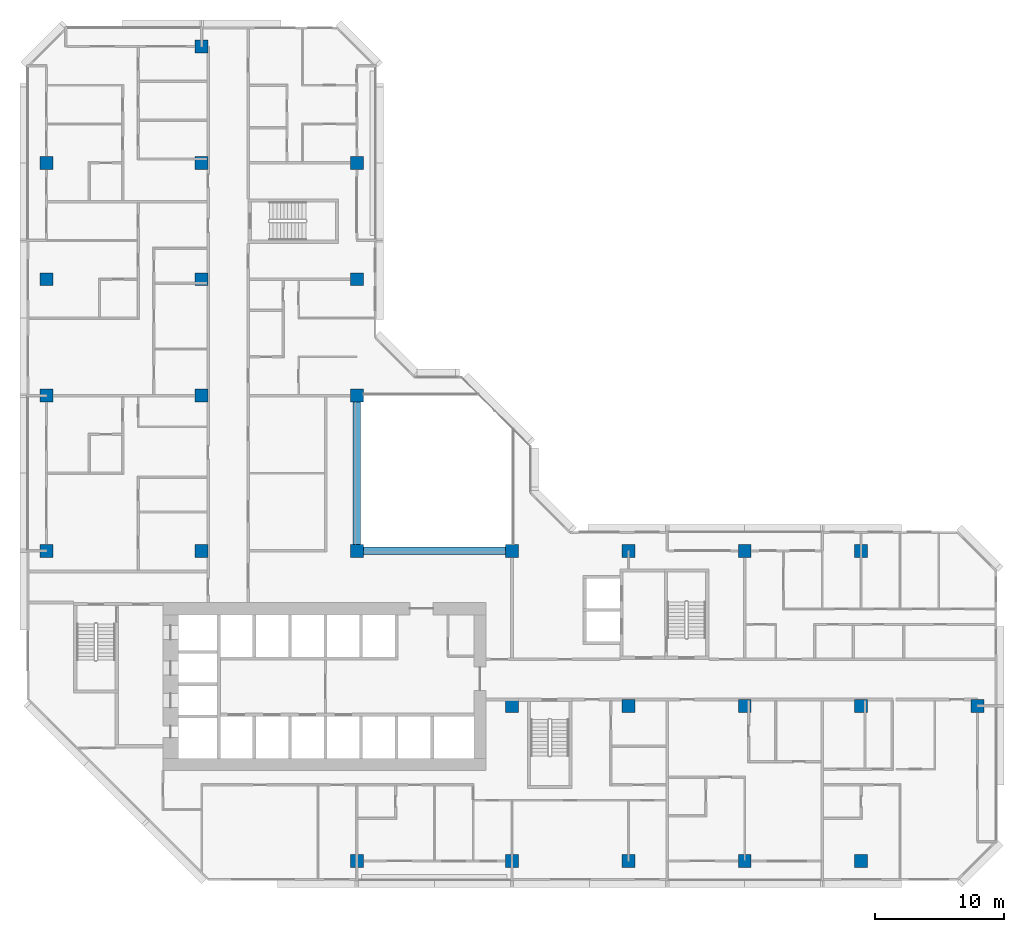
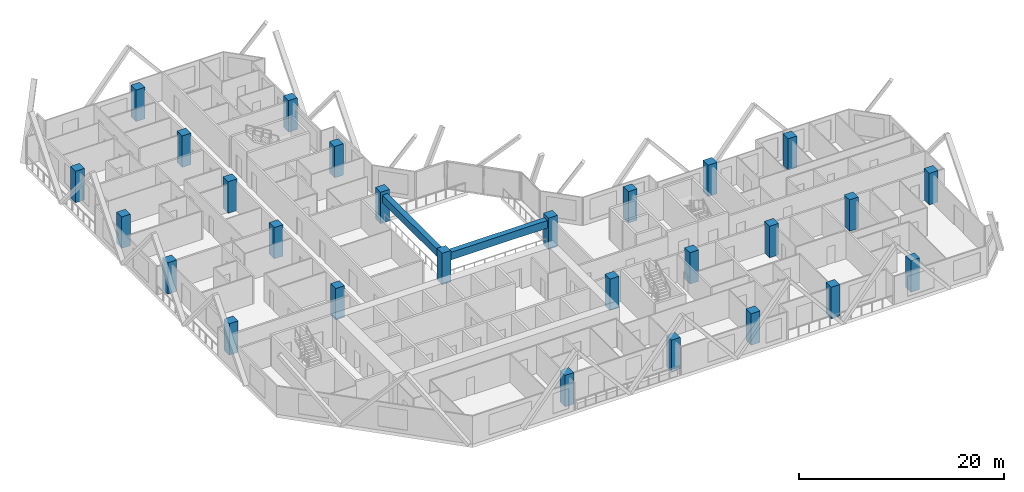
# One storey, part 1 of 14: 27 columns, 2 beams.
"""IFC4 building model written with IfcOpenShell, lengths in metres."""

import ifcopenshell
import ifcopenshell.guid

model = None  # the IFC model being written
_history = None  # IfcOwnerHistory: only IFC2X3 demands one
_inside = {}  # id of a spatial element -> (the spatial element, [elements in it])
_under = {}  # id of a project, library or spatial element -> (it, [spatial elements below it])
_declared = {}  # id of a project -> (the project, [libraries it declares])
_typed = {}  # id of a type object -> (the type object, [elements of that type])
_made_of = {}  # id of a material, layer set ... -> (it, [elements and type objects made of it])


def new_model(schema):
    """Start an empty IFC model of exactly this schema.

    Asked for "IFC4X3", IfcOpenShell would pick the latest addendum, in which some entities
    have other attributes; the version numbers below select the first issue.
    IFC2X3 requires an IfcOwnerHistory on every rooted entity: one is made here for all.
    """
    global model, _history
    if schema == "IFC4X3":
        model = ifcopenshell.file(schema_version=(4, 3, 0, 0))
    else:
        model = ifcopenshell.file(schema=schema)
    _inside.clear()
    _under.clear()
    _declared.clear()
    _typed.clear()
    _made_of.clear()
    _history = None
    if model.schema == "IFC2X3":
        org = make("IfcOrganization", Name="unknown")
        user = make(
            "IfcPersonAndOrganization",
            ThePerson=make("IfcPerson", FamilyName="unknown"),
            TheOrganization=org,
        )
        app = make(
            "IfcApplication",
            ApplicationDeveloper=org,
            Version="unknown",
            ApplicationFullName="unknown",
            ApplicationIdentifier="unknown",
        )
        _history = make(
            "IfcOwnerHistory",
            OwningUser=user,
            OwningApplication=app,
            ChangeAction="ADDED",
            CreationDate=0,
        )
    return model


def make(cls, **values):
    """One entity of the class cls with the attributes given. An attribute that is None is left unset."""
    return model.create_entity(
        cls, **{name: value for name, value in values.items() if value is not None}
    )


def rooted(cls, **values):
    """An entity with a GlobalId (a new one), such as an element, a storey or a relation."""
    return make(cls, GlobalId=ifcopenshell.guid.new(), OwnerHistory=_history, **values)


def si_unit(unit_type, name, prefix=None):
    """IfcSIUnit, for example si_unit("LENGTHUNIT", "METRE", prefix="MILLI")."""
    return make("IfcSIUnit", UnitType=unit_type, Prefix=prefix, Name=name)


def assignment(units):
    """IfcUnitAssignment: the units of a project."""
    return None if units is None else make("IfcUnitAssignment", Units=units)


def point(xyz):
    """IfcCartesianPoint."""
    return None if xyz is None else make("IfcCartesianPoint", Coordinates=xyz)


def direction(xyz):
    """IfcDirection."""
    return None if xyz is None else make("IfcDirection", DirectionRatios=xyz)


def frame(location, z_axis=None, x_axis=None):
    """IfcAxis2Placement3D, a coordinate frame: its origin and axes. An axis left out is left unset."""
    return make(
        "IfcAxis2Placement3D",
        Location=point(location),
        Axis=direction(z_axis),
        RefDirection=direction(x_axis),
    )


def frame_2d(location, x_axis=None):
    """IfcAxis2Placement2D, a coordinate frame in the plane: its origin and x axis."""
    return make(
        "IfcAxis2Placement2D", Location=point(location), RefDirection=direction(x_axis)
    )


def origin():
    """The frame at (0, 0, 0) with its axes left unset."""
    return frame((0.0, 0.0, 0.0))


def origin_2d():
    """The frame at (0, 0) in the plane with its x axis left unset."""
    return frame_2d((0.0, 0.0))


def place(relative_to, where):
    """IfcLocalPlacement: puts the frame where relative to a parent placement (None: the world)."""
    return make(
        "IfcLocalPlacement", PlacementRelTo=relative_to, RelativePlacement=where
    )


def context(
    kind, dimensions, precision=None, world=None, true_north=None, identifier=None
):
    """IfcGeometricRepresentationContext, for example the 3D "Model" context."""
    return make(
        "IfcGeometricRepresentationContext",
        ContextIdentifier=identifier,
        ContextType=kind,
        CoordinateSpaceDimension=dimensions,
        Precision=precision,
        WorldCoordinateSystem=world,
        TrueNorth=true_north,
    )


def subcontext(parent, identifier, kind, view, scale=None):
    """IfcGeometricRepresentationSubContext, for example "Body" below "Model"."""
    return make(
        "IfcGeometricRepresentationSubContext",
        ContextIdentifier=identifier,
        ContextType=kind,
        ParentContext=parent,
        TargetScale=scale,
        TargetView=view,
    )


def project(units=None, contexts=None):
    """IfcProject with its units and contexts."""
    return rooted(
        "IfcProject",
        Name="project",
        RepresentationContexts=contexts,
        UnitsInContext=assignment(units),
    )


def spatial(cls, under=None, at=None, **own):
    """A site, building, storey or space (cls), placed at a placement, below another one or the project."""
    s = rooted(cls, ObjectPlacement=at, **own)
    if under is not None:
        _under.setdefault(under.id(), (under, []))[1].append(s)
    return s


def profile(cls, at=None, kind="AREA", **sizes):
    """A parametric profile (cls). Its sizes go by their IFC names, for example OverallWidth=200.0."""
    return make(cls, ProfileType=kind, Position=at, **sizes)


def rectangle(**sizes):
    """IfcRectangleProfileDef."""
    return profile("IfcRectangleProfileDef", **sizes)


def extrude(swept, where, along, depth):
    """IfcExtrudedAreaSolid: the profile swept, set in the frame where, extruded along a direction by depth."""
    return make(
        "IfcExtrudedAreaSolid",
        SweptArea=swept,
        Position=where,
        ExtrudedDirection=direction(along),
        Depth=depth,
    )


def shape(context_of_items, identifier, shape_type, items):
    """IfcShapeRepresentation: the items that make up one representation, for example the "Body"."""
    return make(
        "IfcShapeRepresentation",
        ContextOfItems=context_of_items,
        RepresentationIdentifier=identifier,
        RepresentationType=shape_type,
        Items=items,
    )


def material(Name=None, Category=None):
    """IfcMaterial."""
    return make("IfcMaterial", Name=Name, Category=Category)


def material_profile(
    of_material, cross_section, Name=None, Category=None, Priority=None
):
    """IfcMaterialProfile: a cross section and its material."""
    return make(
        "IfcMaterialProfile",
        Name=Name,
        Material=of_material,
        Profile=cross_section,
        Priority=Priority,
        Category=Category,
    )


def profile_set(profiles, Name=None, composite=None):
    """IfcMaterialProfileSet."""
    return make(
        "IfcMaterialProfileSet",
        Name=Name,
        MaterialProfiles=profiles,
        CompositeProfile=composite,
    )


def made_of(thing, what):
    """Note that an element or type object is made of a material, layer set ...; save() writes the relation."""
    if what is not None:
        _made_of.setdefault(what.id(), (what, []))[1].append(thing)
    return thing


def type_object(cls, material=None, **own):
    """A type object (cls), such as IfcWallType, which elements share."""
    return made_of(rooted(cls, **own), material)


def element(
    cls,
    number,
    at=None,
    inside=None,
    cuts=None,
    type_object=None,
    material=None,
    context=None,
    identifier="Body",
    shape_type=None,
    held_by="IfcProductDefinitionShape",
    body=None,
    shapes=None,
    **own,
):
    """One element of the class cls, such as IfcWall. Its Tag is "e" and its number.

    at: its placement. inside: the storey or other place that contains it. cuts: it is an
    opening in that element (IfcRelVoidsElement). A single representation is given by context,
    identifier, shape_type and body (its items); several are given by shapes. held_by: the class
    of the entity that holds the representations. save() writes the other relations.
    """
    e = rooted(cls, Tag="e%d" % number, ObjectPlacement=at, **own)
    if body is not None:
        shapes = [shape(context, identifier, shape_type, body)]
    if shapes is not None:
        e.Representation = make(held_by, Representations=shapes)
    if inside is not None:
        _inside.setdefault(inside.id(), (inside, []))[1].append(e)
    if cuts is not None:
        rooted(
            "IfcRelVoidsElement", RelatingBuildingElement=cuts, RelatedOpeningElement=e
        )
    if type_object is not None:
        _typed.setdefault(type_object.id(), (type_object, []))[1].append(e)
    return made_of(e, material)


def aggregate(whole, parts):
    """IfcRelAggregates: a whole, such as a stair, and the parts it consists of."""
    return rooted("IfcRelAggregates", RelatingObject=whole, RelatedObjects=parts)


def save(model, path):
    """Write the relations noted so far, then the file.

    IfcRelAggregates (storeys below a building ...), IfcRelContainedInSpatialStructure (elements
    in a storey), IfcRelDefinesByType, IfcRelAssociatesMaterial and IfcRelDeclares: one each for
    every whole, place, type object, material and project.
    """
    for whole, parts in _under.values():
        aggregate(whole, parts)
    for where, things in _inside.values():
        rooted(
            "IfcRelContainedInSpatialStructure",
            RelatedElements=things,
            RelatingStructure=where,
        )
    for kind, things in _typed.values():
        rooted("IfcRelDefinesByType", RelatedObjects=things, RelatingType=kind)
    for what, things in _made_of.values():
        rooted("IfcRelAssociatesMaterial", RelatedObjects=things, RelatingMaterial=what)
    for by, libraries in _declared.values():
        rooted("IfcRelDeclares", RelatingContext=by, RelatedDefinitions=libraries)
    model.write(path)


model = new_model("IFC4")

# Units and contexts
model_context = context("Model", 3, precision=1e-05, world=origin(), true_north=direction((0.0, 1.0)))
body_context = subcontext(model_context, "Body", "Model", "MODEL_VIEW")
ifc_project = project(units=[si_unit("LENGTHUNIT", "METRE"), si_unit("AREAUNIT", "SQUARE_METRE"), si_unit("VOLUMEUNIT", "CUBIC_METRE"), si_unit("PLANEANGLEUNIT", "RADIAN"), si_unit("MASSUNIT", "GRAM", prefix="KILO")], contexts=[model_context])

# Site, building, storey
site_placement = place(None, origin())
site = spatial("IfcSite", under=ifc_project, at=site_placement, CompositionType="ELEMENT")
building_placement = place(site_placement, origin())
building = spatial("IfcBuilding", under=site, at=building_placement, Name="Chenar Terraces", CompositionType="ELEMENT")
storey_placement = place(building_placement, frame((0.0, 0.0, 91.89990234375)))
storey = spatial("IfcBuildingStorey", under=building, at=storey_placement, Name="L20", CompositionType="ELEMENT", Elevation=91.89990234375)

# Columns
ifc_material_1 = material(Name="Concrete C70/85", Category="concrete")
ifc_material_profile_1 = material_profile(ifc_material_1, rectangle(XDim=1.0, YDim=1.0, at=origin_2d()), Name="C 1000 x 1000")
ifc_profile_set_1 = profile_set([ifc_material_profile_1], Name="Concrete C70/85")
column_type = type_object("IfcColumnType", Name="Column C 1000 x 1000 Concrete C70/85", PredefinedType="COLUMN", material=ifc_profile_set_1)
column_1_placement = place(storey_placement, frame((0.0, 24.0, 0.0), z_axis=(0.0, 0.0, 1.0), x_axis=(1.0, 0.0, 0.0)))
element("IfcColumn", 1, at=column_1_placement, inside=storey, type_object=column_type, Name="Column 5/G L20", PredefinedType="COLUMN", context=body_context, shape_type="SweptSolid", body=[
    extrude(rectangle(XDim=1.0, YDim=1.0, at=origin_2d()), origin(), (0.0, 0.0, 1.0), 3.75),
])
column_2_placement = place(storey_placement, frame((0.0, 36.0, 0.0), z_axis=(0.0, 0.0, 1.0), x_axis=(1.0, 0.0, 0.0)))
element("IfcColumn", 2, at=column_2_placement, inside=storey, type_object=column_type, Name="Column 5/H L20", PredefinedType="COLUMN", context=body_context, shape_type="SweptSolid", body=[
    extrude(rectangle(XDim=1.0, YDim=1.0, at=origin_2d()), origin(), (0.0, 0.0, 1.0), 3.75),
])
for number, where, z_axis, x_axis, name in (
    (3, (0.0, 45.0, 0.0), (0.0, 0.0, 1.0), (1.0, 0.0, 0.0), "Column 5/J L20"),
    (4, (0.0, 54.0, 0.0), (0.0, 0.0, 1.0), (1.0, 0.0, 0.0), "Column 5/K L20"),
    (5, (12.0, 24.0, 0.0), (0.0, 0.0, 1.0), (1.0, 0.0, 0.0), "Column 6/G L20"),
    (6, (12.0, 36.0, 0.0), (0.0, 0.0, 1.0), (1.0, 0.0, 0.0), "Column 6/H L20"),
    (7, (12.0, 45.0, 0.0), (0.0, 0.0, 1.0), (1.0, 0.0, 0.0), "Column 6/J L20"),
    (8, (12.0, 54.0, 0.0), (0.0, 0.0, 1.0), (1.0, 0.0, 0.0), "Column 6/K L20"),
    (9, (12.0, 63.0, 0.0), (0.0, 0.0, 1.0), (1.0, 0.0, 0.0), "Column 6/L L20"),
    (10, (24.0, 0.0, 0.0), (0.0, 0.0, 1.0), (1.0, 0.0, 0.0), "Column 7/E L20"),
    (11, (24.0, 24.0, 0.0), (0.0, 0.0, 1.0), (1.0, 0.0, 0.0), "Column 7/G L20"),
    (12, (24.0, 36.0, 0.0), (0.0, 0.0, 1.0), (1.0, 0.0, 0.0), "Column 7/H L20"),
    (13, (24.0, 45.0, 0.0), (0.0, 0.0, 1.0), (1.0, 0.0, 0.0), "Column 7/J L20"),
    (14, (24.0, 54.0, 0.0), (0.0, 0.0, 1.0), (1.0, 0.0, 0.0), "Column 7/K L20"),
    (15, (36.0, 0.0, 0.0), (0.0, 0.0, 1.0), (1.0, 0.0, 0.0), "Column 8/E L20"),
    (16, (36.0, 12.0, 0.0), (0.0, 0.0, 1.0), (1.0, 0.0, 0.0), "Column 8/F L20"),
    (17, (36.0, 24.0, 0.0), (0.0, 0.0, 1.0), (1.0, 0.0, 0.0), "Column 8/G L20"),
    (18, (45.0, 0.0, 0.0), (0.0, 0.0, 1.0), (1.0, 0.0, 0.0), "Column 9/E L20"),
    (19, (45.0, 12.0, 0.0), (0.0, 0.0, 1.0), (1.0, 0.0, 0.0), "Column 9/F L20"),
    (20, (45.0, 24.0, 0.0), (0.0, 0.0, 1.0), (1.0, 0.0, 0.0), "Column 9/G L20"),
    (21, (54.0, 0.0, 0.0), (0.0, 0.0, 1.0), (1.0, 0.0, 0.0), "Column 10/E L20"),
    (22, (54.0, 12.0, 0.0), (0.0, 0.0, 1.0), (1.0, 0.0, 0.0), "Column 10/F L20"),
    (23, (54.0, 24.0, 0.0), (0.0, 0.0, 1.0), (1.0, 0.0, 0.0), "Column 10/G L20"),
    (24, (63.0, 0.0, 0.0), (0.0, 0.0, 1.0), (1.0, 0.0, 0.0), "Column 11/E L20"),
    (25, (63.0, 12.0, 0.0), (0.0, 0.0, 1.0), (1.0, 0.0, 0.0), "Column 11/F L20"),
    (26, (63.0, 24.0, 0.0), (0.0, 0.0, 1.0), (1.0, 0.0, 0.0), "Column 11/G L20"),
    (27, (72.0, 12.0, 0.0), (0.0, 0.0, 1.0), (1.0, 0.0, 0.0), "Column 12/F L20"),
):
    element("IfcColumn", number, at=place(storey_placement, frame(where, z_axis=z_axis, x_axis=x_axis)), inside=storey, type_object=column_type, Name=name, PredefinedType="COLUMN", context=body_context, shape_type="SweptSolid", body=[
        extrude(rectangle(XDim=1.0, YDim=1.0, at=origin_2d()), origin(), (0.0, 0.0, 1.0), 3.75),
    ])

# Beams
ifc_material_2 = material(Name="Concrete C40/50", Category="concrete")
ifc_material_profile_2 = material_profile(ifc_material_2, rectangle(XDim=0.60009765625, YDim=0.89990234375, at=origin_2d()), Name="RC 600 x 900")
ifc_profile_set_2 = profile_set([ifc_material_profile_2], Name="Concrete C40/50")
beam_type = type_object("IfcBeamType", Name="Atrium edge beam 600 x 900 Concrete C40/50", PredefinedType="BEAM", material=ifc_profile_set_2)
for number, where, z_axis, x_axis, name in (
    (28, (24.5, 24.0, 2.900146484375), (1.0, 0.0, 0.0), (0.0, 1.0, 0.0), "Atrium edge beam L21 1"),
    (29, (24.0, 35.5, 2.900146484375), (0.0, -1.0, 0.0), (1.0, 0.0, 0.0), "Atrium edge beam L21 4"),
):
    element("IfcBeam", number, at=place(storey_placement, frame(where, z_axis=z_axis, x_axis=x_axis)), inside=storey, type_object=beam_type, Name=name, PredefinedType="BEAM", context=body_context, shape_type="SweptSolid", body=[
        extrude(rectangle(XDim=0.60009765625, YDim=0.89990234375, at=origin_2d()), origin(), (0.0, 0.0, 1.0), 11.0),
    ])

save(model, "model.ifc")
